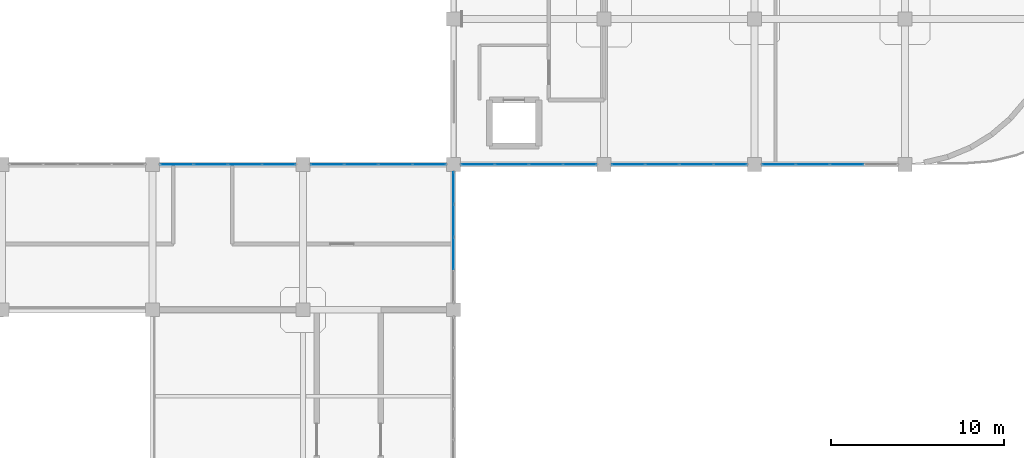
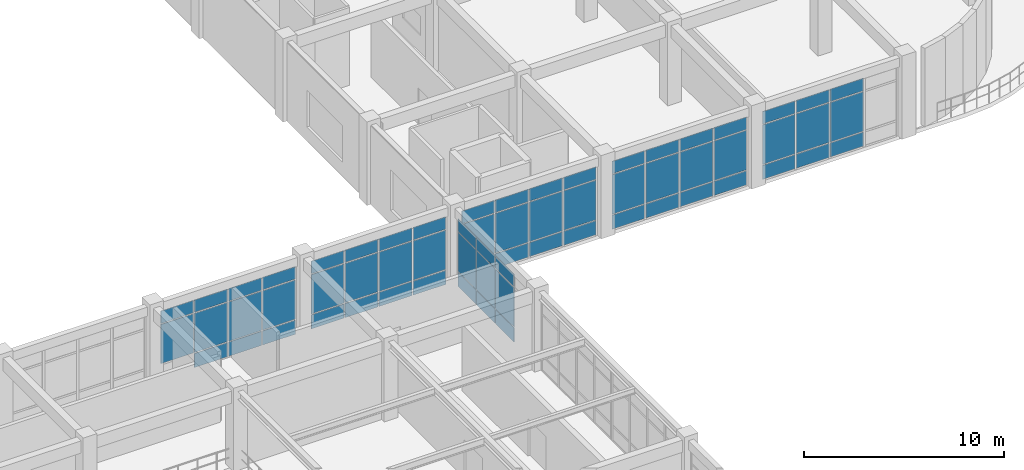
# One storey, part 74 of 96: 65 plates, 6 elements without a shape of their own.
"""IFC4 building model written with IfcOpenShell, lengths in metres."""

from ifc_helpers import new_model, si_unit, derived_unit, direction, frame, origin, origin_2d, place, context, subcontext, project, spatial, rectangle, extrude, material, layer, layer_set, type_object, element, aggregate, save


model = new_model("IFC4")

# Units and contexts
model_context = context("Model", 3, precision=1e-05, world=origin(), true_north=direction((0.0, 1.0)))
body_context = subcontext(model_context, "Body", "Model", "MODEL_VIEW")
ifc_project = project(units=[si_unit("LENGTHUNIT", "METRE"), si_unit("AREAUNIT", "SQUARE_METRE"), si_unit("VOLUMEUNIT", "CUBIC_METRE"), si_unit("PLANEANGLEUNIT", "RADIAN"), si_unit("MASSUNIT", "GRAM", prefix="KILO"), derived_unit("THERMALTRANSMITTANCEUNIT", [(si_unit("MASSUNIT", "GRAM", prefix="KILO"), 1), (si_unit("TIMEUNIT", "SECOND"), -3), (si_unit("THERMODYNAMICTEMPERATUREUNIT", "KELVIN"), -1)])], contexts=[model_context])

# Site, building, storey
site_placement = place(None, origin())
site = spatial("IfcSite", under=ifc_project, at=site_placement, CompositionType="ELEMENT")
building_placement = place(site_placement, origin())
building = spatial("IfcBuilding", under=site, at=building_placement, Name="Qinzheling Arcade Emporium", CompositionType="ELEMENT")
storey_placement = place(building_placement, frame((0.0, 0.0, 21.60009765625)))
storey = spatial("IfcBuildingStorey", under=building, at=storey_placement, Name="L05", CompositionType="ELEMENT", Elevation=21.60009765625)

# Curtain wall, plates
ifc_material_1 = material(Name="Anodised aluminium and solar-control double glazing", Category="aluminium")
ifc_layer_1 = layer(ifc_material_1, 0.159912109375, Name="Anodised aluminium and solar-control double glazing", Category="aluminium")
ifc_layer_set_1 = layer_set([ifc_layer_1], Name="Anodised aluminium and solar-control double glazing")
curtain_wall_type_1 = type_object("IfcCurtainWallType", Name="Atrium Clerestory Curtain Wall", PredefinedType="NOTDEFINED", material=ifc_layer_set_1)
curtain_wall_1_placement = place(storey_placement, origin())
curtain_wall_1 = element("IfcCurtainWall", 1, at=curtain_wall_1_placement, inside=storey, type_object=curtain_wall_type_1, Name="Curtain Wall CW-L05-324", PredefinedType="NOTDEFINED")
ifc_material_2 = material(Name="Laminated solar-control double glazing", Category="glass")
ifc_layer_2 = layer(ifc_material_2, 0.030029296875, Name="Laminated solar-control double glazing", Category="glass")
ifc_layer_set_2 = layer_set([ifc_layer_2], Name="Laminated solar-control double glazing")
plate_type_1 = type_object("IfcPlateType", Name="Low-E Double Glazed Curtain Panel 30mm", PredefinedType="CURTAIN_PANEL", material=ifc_layer_set_2)
plate_1_placement = place(storey_placement, frame((88.404052734375, 73.800048828125, 0.97998046875), z_axis=(0.0, 0.0, 1.0), x_axis=(1.0, 0.0, 0.0)))
plate_1 = element("IfcPlate", 2, at=plate_1_placement, type_object=plate_type_1, Name="CW03 panel 1.2", PredefinedType="CURTAIN_PANEL", context=body_context, shape_type="SweptSolid", body=[
    extrude(rectangle(XDim=1.884033203125, YDim=0.030029296875, at=origin_2d()), origin(), (0.0, 0.0, 1.0), 2.39501953125),
])
plate_2_placement = place(storey_placement, frame((88.404052734375, 73.800048828125, 3.43505859375), z_axis=(0.0, 0.0, 1.0), x_axis=(1.0, 0.0, 0.0)))
plate_2 = element("IfcPlate", 3, at=plate_2_placement, type_object=plate_type_1, Name="CW03 panel 1.3", PredefinedType="CURTAIN_PANEL", context=body_context, shape_type="SweptSolid", body=[
    extrude(rectangle(XDim=1.884033203125, YDim=0.030029296875, at=origin_2d()), origin(), (0.0, 0.0, 1.0), 0.760009765625),
])
plate_3_placement = place(storey_placement, frame((90.363037109375, 73.800048828125, 0.06005859375), z_axis=(0.0, 0.0, 1.0), x_axis=(1.0, 0.0, 0.0)))
plate_3 = element("IfcPlate", 4, at=plate_3_placement, type_object=plate_type_1, Name="CW03 panel 2.1", PredefinedType="CURTAIN_PANEL", context=body_context, shape_type="SweptSolid", body=[
    extrude(rectangle(XDim=1.9140625, YDim=0.030029296875, at=origin_2d()), origin(), (0.0, 0.0, 1.0), 0.860107421875),
])
plate_4_placement = place(storey_placement, frame((90.363037109375, 73.800048828125, 0.97998046875), z_axis=(0.0, 0.0, 1.0), x_axis=(1.0, 0.0, 0.0)))
plate_4 = element("IfcPlate", 5, at=plate_4_placement, type_object=plate_type_1, Name="CW03 panel 2.2", PredefinedType="CURTAIN_PANEL", context=body_context, shape_type="SweptSolid", body=[
    extrude(rectangle(XDim=1.9140625, YDim=0.030029296875, at=origin_2d()), origin(), (0.0, 0.0, 1.0), 2.39501953125),
])
plate_5_placement = place(storey_placement, frame((90.363037109375, 73.800048828125, 3.43505859375), z_axis=(0.0, 0.0, 1.0), x_axis=(1.0, 0.0, 0.0)))
plate_5 = element("IfcPlate", 6, at=plate_5_placement, type_object=plate_type_1, Name="CW03 panel 2.3", PredefinedType="CURTAIN_PANEL", context=body_context, shape_type="SweptSolid", body=[
    extrude(rectangle(XDim=1.9140625, YDim=0.030029296875, at=origin_2d()), origin(), (0.0, 0.0, 1.0), 0.760009765625),
])
plate_6_placement = place(storey_placement, frame((92.3369140625, 73.800048828125, 0.06005859375), z_axis=(0.0, 0.0, 1.0), x_axis=(1.0, 0.0, 0.0)))
plate_6 = element("IfcPlate", 7, at=plate_6_placement, type_object=plate_type_1, Name="CW03 panel 3.1", PredefinedType="CURTAIN_PANEL", context=body_context, shape_type="SweptSolid", body=[
    extrude(rectangle(XDim=1.9140625, YDim=0.030029296875, at=origin_2d()), origin(), (0.0, 0.0, 1.0), 0.860107421875),
])
plate_7_placement = place(storey_placement, frame((92.3369140625, 73.800048828125, 0.97998046875), z_axis=(0.0, 0.0, 1.0), x_axis=(1.0, 0.0, 0.0)))
plate_7 = element("IfcPlate", 8, at=plate_7_placement, type_object=plate_type_1, Name="CW03 panel 3.2", PredefinedType="CURTAIN_PANEL", context=body_context, shape_type="SweptSolid", body=[
    extrude(rectangle(XDim=1.9140625, YDim=0.030029296875, at=origin_2d()), origin(), (0.0, 0.0, 1.0), 2.39501953125),
])
plate_8_placement = place(storey_placement, frame((92.3369140625, 73.800048828125, 3.43505859375), z_axis=(0.0, 0.0, 1.0), x_axis=(1.0, 0.0, 0.0)))
plate_8 = element("IfcPlate", 9, at=plate_8_placement, type_object=plate_type_1, Name="CW03 panel 3.3", PredefinedType="CURTAIN_PANEL", context=body_context, shape_type="SweptSolid", body=[
    extrude(rectangle(XDim=1.9140625, YDim=0.030029296875, at=origin_2d()), origin(), (0.0, 0.0, 1.0), 0.760009765625),
])
plate_9_placement = place(storey_placement, frame((94.2958984375, 73.800048828125, 0.06005859375), z_axis=(0.0, 0.0, 1.0), x_axis=(1.0, 0.0, 0.0)))
plate_9 = element("IfcPlate", 10, at=plate_9_placement, type_object=plate_type_1, Name="CW03 panel 4.1", PredefinedType="CURTAIN_PANEL", context=body_context, shape_type="SweptSolid", body=[
    extrude(rectangle(XDim=1.884033203125, YDim=0.030029296875, at=origin_2d()), origin(), (0.0, 0.0, 1.0), 0.860107421875),
])
plate_10_placement = place(storey_placement, frame((94.2958984375, 73.800048828125, 0.97998046875), z_axis=(0.0, 0.0, 1.0), x_axis=(1.0, 0.0, 0.0)))
plate_10 = element("IfcPlate", 11, at=plate_10_placement, type_object=plate_type_1, Name="CW03 panel 4.2", PredefinedType="CURTAIN_PANEL", context=body_context, shape_type="SweptSolid", body=[
    extrude(rectangle(XDim=1.884033203125, YDim=0.030029296875, at=origin_2d()), origin(), (0.0, 0.0, 1.0), 2.39501953125),
])
plate_11_placement = place(storey_placement, frame((94.2958984375, 73.800048828125, 3.43505859375), z_axis=(0.0, 0.0, 1.0), x_axis=(1.0, 0.0, 0.0)))
plate_11 = element("IfcPlate", 12, at=plate_11_placement, type_object=plate_type_1, Name="CW03 panel 4.3", PredefinedType="CURTAIN_PANEL", context=body_context, shape_type="SweptSolid", body=[
    extrude(rectangle(XDim=1.884033203125, YDim=0.030029296875, at=origin_2d()), origin(), (0.0, 0.0, 1.0), 0.760009765625),
])
aggregate(curtain_wall_1, [plate_1, plate_2, plate_3, plate_4, plate_5, plate_6, plate_7, plate_8, plate_9, plate_10, plate_11])

curtain_wall_2_placement = place(storey_placement, origin())
curtain_wall_2 = element("IfcCurtainWall", 13, at=curtain_wall_2_placement, inside=storey, type_object=curtain_wall_type_1, Name="Curtain Wall CW-L05-325", PredefinedType="NOTDEFINED")
ifc_layer_3 = layer(ifc_material_2, 0.031005859375, Name="Laminated solar-control double glazing", Category="glass")
ifc_layer_set_3 = layer_set([ifc_layer_3], Name="Laminated solar-control double glazing")
plate_type_2 = type_object("IfcPlateType", Name="Low-E Double Glazed Curtain Panel 31mm", PredefinedType="CURTAIN_PANEL", material=ifc_layer_set_3)
plate_12_placement = place(storey_placement, frame((97.10400390625, 73.800048828125, 0.06005859375), z_axis=(0.0, 0.0, 1.0), x_axis=(1.0, 0.0, 0.0)))
plate_12 = element("IfcPlate", 14, at=plate_12_placement, type_object=plate_type_2, Name="CW03 panel 1.1", PredefinedType="CURTAIN_PANEL", context=body_context, shape_type="SweptSolid", body=[
    extrude(rectangle(XDim=1.884033203125, YDim=0.031005859375, at=origin_2d()), origin(), (0.0, 0.0, 1.0), 0.860107421875),
])
plate_13_placement = place(storey_placement, frame((97.10400390625, 73.800048828125, 0.97998046875), z_axis=(0.0, 0.0, 1.0), x_axis=(1.0, 0.0, 0.0)))
plate_13 = element("IfcPlate", 15, at=plate_13_placement, type_object=plate_type_2, Name="CW03 panel 1.2", PredefinedType="CURTAIN_PANEL", context=body_context, shape_type="SweptSolid", body=[
    extrude(rectangle(XDim=1.884033203125, YDim=0.031005859375, at=origin_2d()), origin(), (0.0, 0.0, 1.0), 2.39501953125),
])
plate_14_placement = place(storey_placement, frame((97.10400390625, 73.800048828125, 3.43505859375), z_axis=(0.0, 0.0, 1.0), x_axis=(1.0, 0.0, 0.0)))
plate_14 = element("IfcPlate", 16, at=plate_14_placement, type_object=plate_type_2, Name="CW03 panel 1.3", PredefinedType="CURTAIN_PANEL", context=body_context, shape_type="SweptSolid", body=[
    extrude(rectangle(XDim=1.884033203125, YDim=0.031005859375, at=origin_2d()), origin(), (0.0, 0.0, 1.0), 0.760009765625),
])
plate_15_placement = place(storey_placement, frame((99.06298828125, 73.800048828125, 0.06005859375), z_axis=(0.0, 0.0, 1.0), x_axis=(1.0, 0.0, 0.0)))
plate_15 = element("IfcPlate", 17, at=plate_15_placement, type_object=plate_type_2, Name="CW03 panel 2.1", PredefinedType="CURTAIN_PANEL", context=body_context, shape_type="SweptSolid", body=[
    extrude(rectangle(XDim=1.9140625, YDim=0.031005859375, at=origin_2d()), origin(), (0.0, 0.0, 1.0), 0.860107421875),
])
plate_16_placement = place(storey_placement, frame((99.06298828125, 73.800048828125, 0.97998046875), z_axis=(0.0, 0.0, 1.0), x_axis=(1.0, 0.0, 0.0)))
plate_16 = element("IfcPlate", 18, at=plate_16_placement, type_object=plate_type_2, Name="CW03 panel 2.2", PredefinedType="CURTAIN_PANEL", context=body_context, shape_type="SweptSolid", body=[
    extrude(rectangle(XDim=1.9140625, YDim=0.031005859375, at=origin_2d()), origin(), (0.0, 0.0, 1.0), 2.39501953125),
])
plate_17_placement = place(storey_placement, frame((99.06298828125, 73.800048828125, 3.43505859375), z_axis=(0.0, 0.0, 1.0), x_axis=(1.0, 0.0, 0.0)))
plate_17 = element("IfcPlate", 19, at=plate_17_placement, type_object=plate_type_2, Name="CW03 panel 2.3", PredefinedType="CURTAIN_PANEL", context=body_context, shape_type="SweptSolid", body=[
    extrude(rectangle(XDim=1.9140625, YDim=0.031005859375, at=origin_2d()), origin(), (0.0, 0.0, 1.0), 0.760009765625),
])
plate_18_placement = place(storey_placement, frame((101.037109375, 73.800048828125, 0.06005859375), z_axis=(0.0, 0.0, 1.0), x_axis=(1.0, 0.0, 0.0)))
plate_18 = element("IfcPlate", 20, at=plate_18_placement, type_object=plate_type_2, Name="CW03 panel 3.1", PredefinedType="CURTAIN_PANEL", context=body_context, shape_type="SweptSolid", body=[
    extrude(rectangle(XDim=1.9140625, YDim=0.031005859375, at=origin_2d()), origin(), (0.0, 0.0, 1.0), 0.860107421875),
])
plate_19_placement = place(storey_placement, frame((101.037109375, 73.800048828125, 0.97998046875), z_axis=(0.0, 0.0, 1.0), x_axis=(1.0, 0.0, 0.0)))
plate_19 = element("IfcPlate", 21, at=plate_19_placement, type_object=plate_type_2, Name="CW03 panel 3.2", PredefinedType="CURTAIN_PANEL", context=body_context, shape_type="SweptSolid", body=[
    extrude(rectangle(XDim=1.9140625, YDim=0.031005859375, at=origin_2d()), origin(), (0.0, 0.0, 1.0), 2.39501953125),
])
plate_20_placement = place(storey_placement, frame((101.037109375, 73.800048828125, 3.43505859375), z_axis=(0.0, 0.0, 1.0), x_axis=(1.0, 0.0, 0.0)))
plate_20 = element("IfcPlate", 22, at=plate_20_placement, type_object=plate_type_2, Name="CW03 panel 3.3", PredefinedType="CURTAIN_PANEL", context=body_context, shape_type="SweptSolid", body=[
    extrude(rectangle(XDim=1.9140625, YDim=0.031005859375, at=origin_2d()), origin(), (0.0, 0.0, 1.0), 0.760009765625),
])
plate_21_placement = place(storey_placement, frame((102.99609375, 73.800048828125, 0.06005859375), z_axis=(0.0, 0.0, 1.0), x_axis=(1.0, 0.0, 0.0)))
plate_21 = element("IfcPlate", 23, at=plate_21_placement, type_object=plate_type_2, Name="CW03 panel 4.1", PredefinedType="CURTAIN_PANEL", context=body_context, shape_type="SweptSolid", body=[
    extrude(rectangle(XDim=1.884033203125, YDim=0.031005859375, at=origin_2d()), origin(), (0.0, 0.0, 1.0), 0.860107421875),
])
plate_22_placement = place(storey_placement, frame((102.99609375, 73.800048828125, 0.97998046875), z_axis=(0.0, 0.0, 1.0), x_axis=(1.0, 0.0, 0.0)))
plate_22 = element("IfcPlate", 24, at=plate_22_placement, type_object=plate_type_2, Name="CW03 panel 4.2", PredefinedType="CURTAIN_PANEL", context=body_context, shape_type="SweptSolid", body=[
    extrude(rectangle(XDim=1.884033203125, YDim=0.031005859375, at=origin_2d()), origin(), (0.0, 0.0, 1.0), 2.39501953125),
])
plate_23_placement = place(storey_placement, frame((102.99609375, 73.800048828125, 3.43505859375), z_axis=(0.0, 0.0, 1.0), x_axis=(1.0, 0.0, 0.0)))
plate_23 = element("IfcPlate", 25, at=plate_23_placement, type_object=plate_type_2, Name="CW03 panel 4.3", PredefinedType="CURTAIN_PANEL", context=body_context, shape_type="SweptSolid", body=[
    extrude(rectangle(XDim=1.884033203125, YDim=0.031005859375, at=origin_2d()), origin(), (0.0, 0.0, 1.0), 0.760009765625),
])
aggregate(curtain_wall_2, [plate_12, plate_13, plate_14, plate_15, plate_16, plate_17, plate_18, plate_19, plate_20, plate_21, plate_22, plate_23])

curtain_wall_3_placement = place(storey_placement, origin())
curtain_wall_3 = element("IfcCurtainWall", 26, at=curtain_wall_3_placement, inside=storey, type_object=curtain_wall_type_1, Name="Curtain Wall CW-L05-326", PredefinedType="NOTDEFINED")
ifc_layer_4 = layer(ifc_material_2, 0.031982421875, Name="Laminated solar-control double glazing", Category="glass")
ifc_layer_set_4 = layer_set([ifc_layer_4], Name="Laminated solar-control double glazing")
plate_type_3 = type_object("IfcPlateType", Name="Low-E Double Glazed Curtain Panel 32mm", PredefinedType="CURTAIN_PANEL", material=ifc_layer_set_4)
plate_24_placement = place(storey_placement, frame((104.39990234375, 72.43359375, 0.06005859375), z_axis=(0.0, 0.0, 1.0), x_axis=(0.0, -1.0, 0.0)))
plate_24 = element("IfcPlate", 27, at=plate_24_placement, type_object=plate_type_3, Name="CW03 panel 1.1", PredefinedType="CURTAIN_PANEL", context=body_context, shape_type="SweptSolid", body=[
    extrude(rectangle(XDim=1.80908203125, YDim=0.031982421875, at=origin_2d()), origin(), (0.0, 0.0, 1.0), 0.860107421875),
])
plate_25_placement = place(storey_placement, frame((104.39990234375, 72.43359375, 0.97998046875), z_axis=(0.0, 0.0, 1.0), x_axis=(0.0, -1.0, 0.0)))
plate_25 = element("IfcPlate", 28, at=plate_25_placement, type_object=plate_type_3, Name="CW03 panel 1.2", PredefinedType="CURTAIN_PANEL", context=body_context, shape_type="SweptSolid", body=[
    extrude(rectangle(XDim=1.80908203125, YDim=0.031982421875, at=origin_2d()), origin(), (0.0, 0.0, 1.0), 2.39501953125),
])
plate_26_placement = place(storey_placement, frame((104.39990234375, 72.43359375, 3.43505859375), z_axis=(0.0, 0.0, 1.0), x_axis=(0.0, -1.0, 0.0)))
plate_26 = element("IfcPlate", 29, at=plate_26_placement, type_object=plate_type_3, Name="CW03 panel 1.3", PredefinedType="CURTAIN_PANEL", context=body_context, shape_type="SweptSolid", body=[
    extrude(rectangle(XDim=1.80908203125, YDim=0.031982421875, at=origin_2d()), origin(), (0.0, 0.0, 1.0), 0.760009765625),
])
plate_27_placement = place(storey_placement, frame((104.39990234375, 70.549560546875, 0.06005859375), z_axis=(0.0, 0.0, 1.0), x_axis=(0.0, -1.0, 0.0)))
plate_27 = element("IfcPlate", 30, at=plate_27_placement, type_object=plate_type_3, Name="CW03 panel 2.1", PredefinedType="CURTAIN_PANEL", context=body_context, shape_type="SweptSolid", body=[
    extrude(rectangle(XDim=1.839111328125, YDim=0.031982421875, at=origin_2d()), origin(), (0.0, 0.0, 1.0), 0.860107421875),
])
plate_28_placement = place(storey_placement, frame((104.39990234375, 70.549560546875, 0.97998046875), z_axis=(0.0, 0.0, 1.0), x_axis=(0.0, -1.0, 0.0)))
plate_28 = element("IfcPlate", 31, at=plate_28_placement, type_object=plate_type_3, Name="CW03 panel 2.2", PredefinedType="CURTAIN_PANEL", context=body_context, shape_type="SweptSolid", body=[
    extrude(rectangle(XDim=1.839111328125, YDim=0.031982421875, at=origin_2d()), origin(), (0.0, 0.0, 1.0), 2.39501953125),
])
plate_29_placement = place(storey_placement, frame((104.39990234375, 70.549560546875, 3.43505859375), z_axis=(0.0, 0.0, 1.0), x_axis=(0.0, -1.0, 0.0)))
plate_29 = element("IfcPlate", 32, at=plate_29_placement, type_object=plate_type_3, Name="CW03 panel 2.3", PredefinedType="CURTAIN_PANEL", context=body_context, shape_type="SweptSolid", body=[
    extrude(rectangle(XDim=1.839111328125, YDim=0.031982421875, at=origin_2d()), origin(), (0.0, 0.0, 1.0), 0.760009765625),
])
plate_30_placement = place(storey_placement, frame((104.39990234375, 68.650390625, 0.06005859375), z_axis=(0.0, 0.0, 1.0), x_axis=(0.0, -1.0, 0.0)))
plate_30 = element("IfcPlate", 33, at=plate_30_placement, type_object=plate_type_3, Name="CW03 panel 3.1", PredefinedType="CURTAIN_PANEL", context=body_context, shape_type="SweptSolid", body=[
    extrude(rectangle(XDim=1.839111328125, YDim=0.031982421875, at=origin_2d()), origin(), (0.0, 0.0, 1.0), 0.860107421875),
])
plate_31_placement = place(storey_placement, frame((104.39990234375, 68.650390625, 0.97998046875), z_axis=(0.0, 0.0, 1.0), x_axis=(0.0, -1.0, 0.0)))
plate_31 = element("IfcPlate", 34, at=plate_31_placement, type_object=plate_type_3, Name="CW03 panel 3.2", PredefinedType="CURTAIN_PANEL", context=body_context, shape_type="SweptSolid", body=[
    extrude(rectangle(XDim=1.839111328125, YDim=0.031982421875, at=origin_2d()), origin(), (0.0, 0.0, 1.0), 2.39501953125),
])
plate_32_placement = place(storey_placement, frame((104.39990234375, 68.650390625, 3.43505859375), z_axis=(0.0, 0.0, 1.0), x_axis=(0.0, -1.0, 0.0)))
plate_32 = element("IfcPlate", 35, at=plate_32_placement, type_object=plate_type_3, Name="CW03 panel 3.3", PredefinedType="CURTAIN_PANEL", context=body_context, shape_type="SweptSolid", body=[
    extrude(rectangle(XDim=1.839111328125, YDim=0.031982421875, at=origin_2d()), origin(), (0.0, 0.0, 1.0), 0.760009765625),
])
aggregate(curtain_wall_3, [plate_24, plate_25, plate_26, plate_27, plate_28, plate_29, plate_30, plate_31, plate_32])

ifc_layer_5 = layer(ifc_material_1, 0.159912109375, Name="Anodised aluminium and solar-control double glazing", Category="aluminium")
ifc_layer_set_5 = layer_set([ifc_layer_5], Name="Anodised aluminium and solar-control double glazing")
curtain_wall_type_2 = type_object("IfcCurtainWallType", Name="Arcade Portal Glazed Curtain Wall", PredefinedType="NOTDEFINED", material=ifc_layer_set_5)
curtain_wall_4_placement = place(storey_placement, origin())
curtain_wall_4 = element("IfcCurtainWall", 36, at=curtain_wall_4_placement, inside=storey, type_object=curtain_wall_type_2, Name="Curtain Wall CW-L05-343", PredefinedType="NOTDEFINED")
ifc_layer_6 = layer(ifc_material_2, 0.033935546875, Name="Laminated solar-control double glazing", Category="glass")
ifc_layer_set_6 = layer_set([ifc_layer_6], Name="Laminated solar-control double glazing")
plate_type_4 = type_object("IfcPlateType", Name="Low-E Double Glazed Curtain Panel 34mm", PredefinedType="CURTAIN_PANEL", material=ifc_layer_set_6)
plate_33_placement = place(storey_placement, frame((127.136962890625, 73.800048828125, 0.06005859375), z_axis=(0.0, 0.0, 1.0), x_axis=(-1.0, 0.0, 0.0)))
plate_33 = element("IfcPlate", 37, at=plate_33_placement, type_object=plate_type_4, Name="CW05 panel 2.1", PredefinedType="CURTAIN_PANEL", context=body_context, shape_type="SweptSolid", body=[
    extrude(rectangle(XDim=1.9140625, YDim=0.033935546875, at=origin_2d()), origin(), (0.0, 0.0, 1.0), 0.860107421875),
])
plate_34_placement = place(storey_placement, frame((127.136962890625, 73.800048828125, 0.97998046875), z_axis=(0.0, 0.0, 1.0), x_axis=(-1.0, 0.0, 0.0)))
plate_34 = element("IfcPlate", 38, at=plate_34_placement, type_object=plate_type_4, Name="CW05 panel 2.2", PredefinedType="CURTAIN_PANEL", context=body_context, shape_type="SweptSolid", body=[
    extrude(rectangle(XDim=1.9140625, YDim=0.033935546875, at=origin_2d()), origin(), (0.0, 0.0, 1.0), 2.409912109375),
])
plate_35_placement = place(storey_placement, frame((127.136962890625, 73.800048828125, 3.44970703125), z_axis=(0.0, 0.0, 1.0), x_axis=(-1.0, 0.0, 0.0)))
plate_35 = element("IfcPlate", 39, at=plate_35_placement, type_object=plate_type_4, Name="CW05 panel 2.3", PredefinedType="CURTAIN_PANEL", context=body_context, shape_type="SweptSolid", body=[
    extrude(rectangle(XDim=1.9140625, YDim=0.033935546875, at=origin_2d()), origin(), (0.0, 0.0, 1.0), 0.760009765625),
])
plate_36_placement = place(storey_placement, frame((125.1630859375, 73.800048828125, 0.06005859375), z_axis=(0.0, 0.0, 1.0), x_axis=(-1.0, 0.0, 0.0)))
plate_36 = element("IfcPlate", 40, at=plate_36_placement, type_object=plate_type_4, Name="CW05 panel 3.1", PredefinedType="CURTAIN_PANEL", context=body_context, shape_type="SweptSolid", body=[
    extrude(rectangle(XDim=1.9140625, YDim=0.033935546875, at=origin_2d()), origin(), (0.0, 0.0, 1.0), 0.860107421875),
])
plate_37_placement = place(storey_placement, frame((125.1630859375, 73.800048828125, 0.97998046875), z_axis=(0.0, 0.0, 1.0), x_axis=(-1.0, 0.0, 0.0)))
plate_37 = element("IfcPlate", 41, at=plate_37_placement, type_object=plate_type_4, Name="CW05 panel 3.2", PredefinedType="CURTAIN_PANEL", context=body_context, shape_type="SweptSolid", body=[
    extrude(rectangle(XDim=1.9140625, YDim=0.033935546875, at=origin_2d()), origin(), (0.0, 0.0, 1.0), 2.409912109375),
])
plate_38_placement = place(storey_placement, frame((125.1630859375, 73.800048828125, 3.44970703125), z_axis=(0.0, 0.0, 1.0), x_axis=(-1.0, 0.0, 0.0)))
plate_38 = element("IfcPlate", 42, at=plate_38_placement, type_object=plate_type_4, Name="CW05 panel 3.3", PredefinedType="CURTAIN_PANEL", context=body_context, shape_type="SweptSolid", body=[
    extrude(rectangle(XDim=1.9140625, YDim=0.033935546875, at=origin_2d()), origin(), (0.0, 0.0, 1.0), 0.760009765625),
])
plate_39_placement = place(storey_placement, frame((123.2041015625, 73.800048828125, 0.06005859375), z_axis=(0.0, 0.0, 1.0), x_axis=(-1.0, 0.0, 0.0)))
plate_39 = element("IfcPlate", 43, at=plate_39_placement, type_object=plate_type_4, Name="CW05 panel 4.1", PredefinedType="CURTAIN_PANEL", context=body_context, shape_type="SweptSolid", body=[
    extrude(rectangle(XDim=1.884033203125, YDim=0.033935546875, at=origin_2d()), origin(), (0.0, 0.0, 1.0), 0.860107421875),
])
plate_40_placement = place(storey_placement, frame((123.2041015625, 73.800048828125, 0.97998046875), z_axis=(0.0, 0.0, 1.0), x_axis=(-1.0, 0.0, 0.0)))
plate_40 = element("IfcPlate", 44, at=plate_40_placement, type_object=plate_type_4, Name="CW05 panel 4.2", PredefinedType="CURTAIN_PANEL", context=body_context, shape_type="SweptSolid", body=[
    extrude(rectangle(XDim=1.884033203125, YDim=0.033935546875, at=origin_2d()), origin(), (0.0, 0.0, 1.0), 2.409912109375),
])
plate_41_placement = place(storey_placement, frame((123.2041015625, 73.800048828125, 3.44970703125), z_axis=(0.0, 0.0, 1.0), x_axis=(-1.0, 0.0, 0.0)))
plate_41 = element("IfcPlate", 45, at=plate_41_placement, type_object=plate_type_4, Name="CW05 panel 4.3", PredefinedType="CURTAIN_PANEL", context=body_context, shape_type="SweptSolid", body=[
    extrude(rectangle(XDim=1.884033203125, YDim=0.033935546875, at=origin_2d()), origin(), (0.0, 0.0, 1.0), 0.760009765625),
])
aggregate(curtain_wall_4, [plate_33, plate_34, plate_35, plate_36, plate_37, plate_38, plate_39, plate_40, plate_41])

curtain_wall_5_placement = place(storey_placement, origin())
curtain_wall_5 = element("IfcCurtainWall", 46, at=curtain_wall_5_placement, inside=storey, type_object=curtain_wall_type_2, Name="Curtain Wall CW-L05-344", PredefinedType="NOTDEFINED")
ifc_layer_7 = layer(ifc_material_2, 0.035888671875, Name="Laminated solar-control double glazing", Category="glass")
ifc_layer_set_7 = layer_set([ifc_layer_7], Name="Laminated solar-control double glazing")
plate_type_5 = type_object("IfcPlateType", Name="Low-E Double Glazed Curtain Panel 36mm", PredefinedType="CURTAIN_PANEL", material=ifc_layer_set_7)
plate_42_placement = place(storey_placement, frame((120.39599609375, 73.800048828125, 0.06005859375), z_axis=(0.0, 0.0, 1.0), x_axis=(-1.0, 0.0, 0.0)))
plate_42 = element("IfcPlate", 47, at=plate_42_placement, type_object=plate_type_5, Name="CW05 panel 1.1", PredefinedType="CURTAIN_PANEL", context=body_context, shape_type="SweptSolid", body=[
    extrude(rectangle(XDim=1.884033203125, YDim=0.035888671875, at=origin_2d()), origin(), (0.0, 0.0, 1.0), 0.860107421875),
])
plate_43_placement = place(storey_placement, frame((120.39599609375, 73.800048828125, 0.97998046875), z_axis=(0.0, 0.0, 1.0), x_axis=(-1.0, 0.0, 0.0)))
plate_43 = element("IfcPlate", 48, at=plate_43_placement, type_object=plate_type_5, Name="CW05 panel 1.2", PredefinedType="CURTAIN_PANEL", context=body_context, shape_type="SweptSolid", body=[
    extrude(rectangle(XDim=1.884033203125, YDim=0.035888671875, at=origin_2d()), origin(), (0.0, 0.0, 1.0), 2.409912109375),
])
plate_44_placement = place(storey_placement, frame((120.39599609375, 73.800048828125, 3.44970703125), z_axis=(0.0, 0.0, 1.0), x_axis=(-1.0, 0.0, 0.0)))
plate_44 = element("IfcPlate", 49, at=plate_44_placement, type_object=plate_type_5, Name="CW05 panel 1.3", PredefinedType="CURTAIN_PANEL", context=body_context, shape_type="SweptSolid", body=[
    extrude(rectangle(XDim=1.884033203125, YDim=0.035888671875, at=origin_2d()), origin(), (0.0, 0.0, 1.0), 0.760009765625),
])
plate_45_placement = place(storey_placement, frame((118.43701171875, 73.800048828125, 0.06005859375), z_axis=(0.0, 0.0, 1.0), x_axis=(-1.0, 0.0, 0.0)))
plate_45 = element("IfcPlate", 50, at=plate_45_placement, type_object=plate_type_5, Name="CW05 panel 2.1", PredefinedType="CURTAIN_PANEL", context=body_context, shape_type="SweptSolid", body=[
    extrude(rectangle(XDim=1.9140625, YDim=0.035888671875, at=origin_2d()), origin(), (0.0, 0.0, 1.0), 0.860107421875),
])
plate_46_placement = place(storey_placement, frame((118.43701171875, 73.800048828125, 0.97998046875), z_axis=(0.0, 0.0, 1.0), x_axis=(-1.0, 0.0, 0.0)))
plate_46 = element("IfcPlate", 51, at=plate_46_placement, type_object=plate_type_5, Name="CW05 panel 2.2", PredefinedType="CURTAIN_PANEL", context=body_context, shape_type="SweptSolid", body=[
    extrude(rectangle(XDim=1.9140625, YDim=0.035888671875, at=origin_2d()), origin(), (0.0, 0.0, 1.0), 2.409912109375),
])
plate_47_placement = place(storey_placement, frame((118.43701171875, 73.800048828125, 3.44970703125), z_axis=(0.0, 0.0, 1.0), x_axis=(-1.0, 0.0, 0.0)))
plate_47 = element("IfcPlate", 52, at=plate_47_placement, type_object=plate_type_5, Name="CW05 panel 2.3", PredefinedType="CURTAIN_PANEL", context=body_context, shape_type="SweptSolid", body=[
    extrude(rectangle(XDim=1.9140625, YDim=0.035888671875, at=origin_2d()), origin(), (0.0, 0.0, 1.0), 0.760009765625),
])
plate_48_placement = place(storey_placement, frame((116.462890625, 73.800048828125, 0.06005859375), z_axis=(0.0, 0.0, 1.0), x_axis=(-1.0, 0.0, 0.0)))
plate_48 = element("IfcPlate", 53, at=plate_48_placement, type_object=plate_type_5, Name="CW05 panel 3.1", PredefinedType="CURTAIN_PANEL", context=body_context, shape_type="SweptSolid", body=[
    extrude(rectangle(XDim=1.9140625, YDim=0.035888671875, at=origin_2d()), origin(), (0.0, 0.0, 1.0), 0.860107421875),
])
plate_49_placement = place(storey_placement, frame((116.462890625, 73.800048828125, 0.97998046875), z_axis=(0.0, 0.0, 1.0), x_axis=(-1.0, 0.0, 0.0)))
plate_49 = element("IfcPlate", 54, at=plate_49_placement, type_object=plate_type_5, Name="CW05 panel 3.2", PredefinedType="CURTAIN_PANEL", context=body_context, shape_type="SweptSolid", body=[
    extrude(rectangle(XDim=1.9140625, YDim=0.035888671875, at=origin_2d()), origin(), (0.0, 0.0, 1.0), 2.409912109375),
])
plate_50_placement = place(storey_placement, frame((116.462890625, 73.800048828125, 3.44970703125), z_axis=(0.0, 0.0, 1.0), x_axis=(-1.0, 0.0, 0.0)))
plate_50 = element("IfcPlate", 55, at=plate_50_placement, type_object=plate_type_5, Name="CW05 panel 3.3", PredefinedType="CURTAIN_PANEL", context=body_context, shape_type="SweptSolid", body=[
    extrude(rectangle(XDim=1.9140625, YDim=0.035888671875, at=origin_2d()), origin(), (0.0, 0.0, 1.0), 0.760009765625),
])
plate_51_placement = place(storey_placement, frame((114.50390625, 73.800048828125, 0.06005859375), z_axis=(0.0, 0.0, 1.0), x_axis=(-1.0, 0.0, 0.0)))
plate_51 = element("IfcPlate", 56, at=plate_51_placement, type_object=plate_type_5, Name="CW05 panel 4.1", PredefinedType="CURTAIN_PANEL", context=body_context, shape_type="SweptSolid", body=[
    extrude(rectangle(XDim=1.884033203125, YDim=0.035888671875, at=origin_2d()), origin(), (0.0, 0.0, 1.0), 0.860107421875),
])
plate_52_placement = place(storey_placement, frame((114.50390625, 73.800048828125, 0.97998046875), z_axis=(0.0, 0.0, 1.0), x_axis=(-1.0, 0.0, 0.0)))
plate_52 = element("IfcPlate", 57, at=plate_52_placement, type_object=plate_type_5, Name="CW05 panel 4.2", PredefinedType="CURTAIN_PANEL", context=body_context, shape_type="SweptSolid", body=[
    extrude(rectangle(XDim=1.884033203125, YDim=0.035888671875, at=origin_2d()), origin(), (0.0, 0.0, 1.0), 2.409912109375),
])
plate_53_placement = place(storey_placement, frame((114.50390625, 73.800048828125, 3.44970703125), z_axis=(0.0, 0.0, 1.0), x_axis=(-1.0, 0.0, 0.0)))
plate_53 = element("IfcPlate", 58, at=plate_53_placement, type_object=plate_type_5, Name="CW05 panel 4.3", PredefinedType="CURTAIN_PANEL", context=body_context, shape_type="SweptSolid", body=[
    extrude(rectangle(XDim=1.884033203125, YDim=0.035888671875, at=origin_2d()), origin(), (0.0, 0.0, 1.0), 0.760009765625),
])
aggregate(curtain_wall_5, [plate_42, plate_43, plate_44, plate_45, plate_46, plate_47, plate_48, plate_49, plate_50, plate_51, plate_52, plate_53])

curtain_wall_6_placement = place(storey_placement, origin())
curtain_wall_6 = element("IfcCurtainWall", 59, at=curtain_wall_6_placement, inside=storey, type_object=curtain_wall_type_2, Name="Curtain Wall CW-L05-345", PredefinedType="NOTDEFINED")
ifc_layer_8 = layer(ifc_material_2, 0.0380859375, Name="Laminated solar-control double glazing", Category="glass")
ifc_layer_set_8 = layer_set([ifc_layer_8], Name="Laminated solar-control double glazing")
plate_type_6 = type_object("IfcPlateType", Name="Low-E Double Glazed Curtain Panel 38mm", PredefinedType="CURTAIN_PANEL", material=ifc_layer_set_8)
plate_54_placement = place(storey_placement, frame((111.696044921875, 73.800048828125, 0.06005859375), z_axis=(0.0, 0.0, 1.0), x_axis=(-1.0, 0.0, 0.0)))
plate_54 = element("IfcPlate", 60, at=plate_54_placement, type_object=plate_type_6, Name="CW05 panel 1.1", PredefinedType="CURTAIN_PANEL", context=body_context, shape_type="SweptSolid", body=[
    extrude(rectangle(XDim=1.884033203125, YDim=0.0380859375, at=origin_2d()), origin(), (0.0, 0.0, 1.0), 0.860107421875),
])
plate_55_placement = place(storey_placement, frame((111.696044921875, 73.800048828125, 0.97998046875), z_axis=(0.0, 0.0, 1.0), x_axis=(-1.0, 0.0, 0.0)))
plate_55 = element("IfcPlate", 61, at=plate_55_placement, type_object=plate_type_6, Name="CW05 panel 1.2", PredefinedType="CURTAIN_PANEL", context=body_context, shape_type="SweptSolid", body=[
    extrude(rectangle(XDim=1.884033203125, YDim=0.0380859375, at=origin_2d()), origin(), (0.0, 0.0, 1.0), 2.409912109375),
])
plate_56_placement = place(storey_placement, frame((111.696044921875, 73.800048828125, 3.44970703125), z_axis=(0.0, 0.0, 1.0), x_axis=(-1.0, 0.0, 0.0)))
plate_56 = element("IfcPlate", 62, at=plate_56_placement, type_object=plate_type_6, Name="CW05 panel 1.3", PredefinedType="CURTAIN_PANEL", context=body_context, shape_type="SweptSolid", body=[
    extrude(rectangle(XDim=1.884033203125, YDim=0.0380859375, at=origin_2d()), origin(), (0.0, 0.0, 1.0), 0.760009765625),
])
plate_57_placement = place(storey_placement, frame((109.737060546875, 73.800048828125, 0.06005859375), z_axis=(0.0, 0.0, 1.0), x_axis=(-1.0, 0.0, 0.0)))
plate_57 = element("IfcPlate", 63, at=plate_57_placement, type_object=plate_type_6, Name="CW05 panel 2.1", PredefinedType="CURTAIN_PANEL", context=body_context, shape_type="SweptSolid", body=[
    extrude(rectangle(XDim=1.9140625, YDim=0.0380859375, at=origin_2d()), origin(), (0.0, 0.0, 1.0), 0.860107421875),
])
plate_58_placement = place(storey_placement, frame((109.737060546875, 73.800048828125, 0.97998046875), z_axis=(0.0, 0.0, 1.0), x_axis=(-1.0, 0.0, 0.0)))
plate_58 = element("IfcPlate", 64, at=plate_58_placement, type_object=plate_type_6, Name="CW05 panel 2.2", PredefinedType="CURTAIN_PANEL", context=body_context, shape_type="SweptSolid", body=[
    extrude(rectangle(XDim=1.9140625, YDim=0.0380859375, at=origin_2d()), origin(), (0.0, 0.0, 1.0), 2.409912109375),
])
plate_59_placement = place(storey_placement, frame((109.737060546875, 73.800048828125, 3.44970703125), z_axis=(0.0, 0.0, 1.0), x_axis=(-1.0, 0.0, 0.0)))
plate_59 = element("IfcPlate", 65, at=plate_59_placement, type_object=plate_type_6, Name="CW05 panel 2.3", PredefinedType="CURTAIN_PANEL", context=body_context, shape_type="SweptSolid", body=[
    extrude(rectangle(XDim=1.9140625, YDim=0.0380859375, at=origin_2d()), origin(), (0.0, 0.0, 1.0), 0.760009765625),
])
plate_60_placement = place(storey_placement, frame((107.762939453125, 73.800048828125, 0.06005859375), z_axis=(0.0, 0.0, 1.0), x_axis=(-1.0, 0.0, 0.0)))
plate_60 = element("IfcPlate", 66, at=plate_60_placement, type_object=plate_type_6, Name="CW05 panel 3.1", PredefinedType="CURTAIN_PANEL", context=body_context, shape_type="SweptSolid", body=[
    extrude(rectangle(XDim=1.9140625, YDim=0.0380859375, at=origin_2d()), origin(), (0.0, 0.0, 1.0), 0.860107421875),
])
plate_61_placement = place(storey_placement, frame((107.762939453125, 73.800048828125, 0.97998046875), z_axis=(0.0, 0.0, 1.0), x_axis=(-1.0, 0.0, 0.0)))
plate_61 = element("IfcPlate", 67, at=plate_61_placement, type_object=plate_type_6, Name="CW05 panel 3.2", PredefinedType="CURTAIN_PANEL", context=body_context, shape_type="SweptSolid", body=[
    extrude(rectangle(XDim=1.9140625, YDim=0.0380859375, at=origin_2d()), origin(), (0.0, 0.0, 1.0), 2.409912109375),
])
plate_62_placement = place(storey_placement, frame((107.762939453125, 73.800048828125, 3.44970703125), z_axis=(0.0, 0.0, 1.0), x_axis=(-1.0, 0.0, 0.0)))
plate_62 = element("IfcPlate", 68, at=plate_62_placement, type_object=plate_type_6, Name="CW05 panel 3.3", PredefinedType="CURTAIN_PANEL", context=body_context, shape_type="SweptSolid", body=[
    extrude(rectangle(XDim=1.9140625, YDim=0.0380859375, at=origin_2d()), origin(), (0.0, 0.0, 1.0), 0.760009765625),
])
plate_63_placement = place(storey_placement, frame((105.803955078125, 73.800048828125, 0.06005859375), z_axis=(0.0, 0.0, 1.0), x_axis=(-1.0, 0.0, 0.0)))
plate_63 = element("IfcPlate", 69, at=plate_63_placement, type_object=plate_type_6, Name="CW05 panel 4.1", PredefinedType="CURTAIN_PANEL", context=body_context, shape_type="SweptSolid", body=[
    extrude(rectangle(XDim=1.884033203125, YDim=0.0380859375, at=origin_2d()), origin(), (0.0, 0.0, 1.0), 0.860107421875),
])
plate_64_placement = place(storey_placement, frame((105.803955078125, 73.800048828125, 0.97998046875), z_axis=(0.0, 0.0, 1.0), x_axis=(-1.0, 0.0, 0.0)))
plate_64 = element("IfcPlate", 70, at=plate_64_placement, type_object=plate_type_6, Name="CW05 panel 4.2", PredefinedType="CURTAIN_PANEL", context=body_context, shape_type="SweptSolid", body=[
    extrude(rectangle(XDim=1.884033203125, YDim=0.0380859375, at=origin_2d()), origin(), (0.0, 0.0, 1.0), 2.409912109375),
])
plate_65_placement = place(storey_placement, frame((105.803955078125, 73.800048828125, 3.44970703125), z_axis=(0.0, 0.0, 1.0), x_axis=(-1.0, 0.0, 0.0)))
plate_65 = element("IfcPlate", 71, at=plate_65_placement, type_object=plate_type_6, Name="CW05 panel 4.3", PredefinedType="CURTAIN_PANEL", context=body_context, shape_type="SweptSolid", body=[
    extrude(rectangle(XDim=1.884033203125, YDim=0.0380859375, at=origin_2d()), origin(), (0.0, 0.0, 1.0), 0.760009765625),
])
aggregate(curtain_wall_6, [plate_54, plate_55, plate_56, plate_57, plate_58, plate_59, plate_60, plate_61, plate_62, plate_63, plate_64, plate_65])

save(model, "model.ifc")
